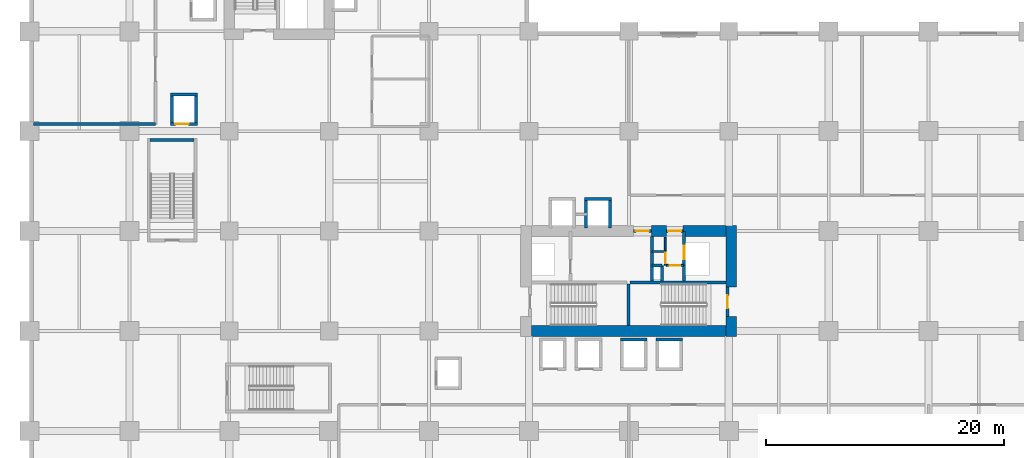
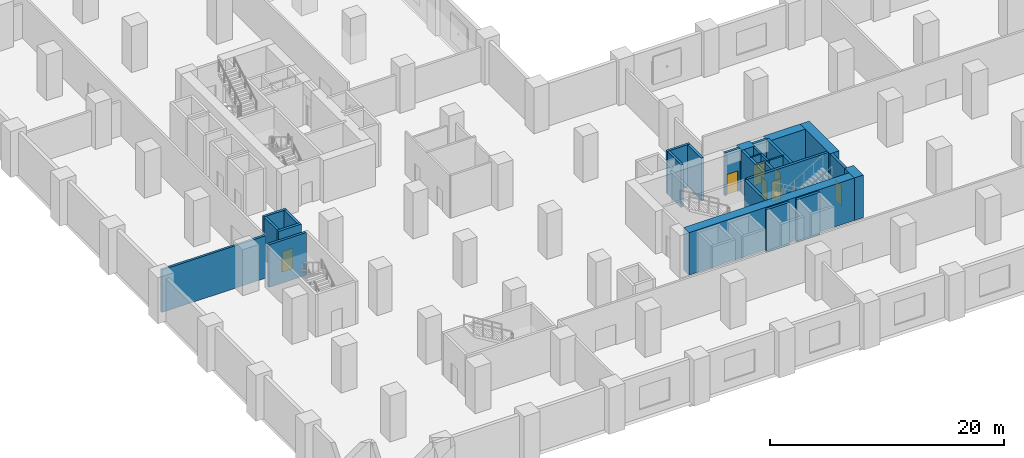
# One storey, part 10 of 22: 28 walls, 7 doors, 7 openings.
"""IFC4 building model written with IfcOpenShell, lengths in metres."""

from ifc_helpers import new_model, si_unit, direction, frame, frame_2d, origin, place, context, subcontext, project, spatial, rectangle, extrude, material, layer, layer_set, type_object, element, fill, save


model = new_model("IFC4")

# Units and contexts
model_context = context("Model", 3, precision=1e-05, world=origin(), true_north=direction((0.0, 1.0)))
body_context = subcontext(model_context, "Body", "Model", "MODEL_VIEW")
ifc_project = project(units=[si_unit("LENGTHUNIT", "METRE"), si_unit("AREAUNIT", "SQUARE_METRE"), si_unit("VOLUMEUNIT", "CUBIC_METRE"), si_unit("PLANEANGLEUNIT", "RADIAN"), si_unit("MASSUNIT", "GRAM", prefix="KILO")], contexts=[model_context])

# Site, building, storey
site_placement = place(None, origin())
site = spatial("IfcSite", under=ifc_project, at=site_placement, CompositionType="ELEMENT")
building_placement = place(site_placement, origin())
building = spatial("IfcBuilding", under=site, at=building_placement, Name="Koriwani Terraces Tower", CompositionType="ELEMENT")
storey_placement = place(building_placement, frame((0.0, 0.0, 10.800048828125)))
storey = spatial("IfcBuildingStorey", under=building, at=storey_placement, Name="L02", CompositionType="ELEMENT", Elevation=10.800048828125)

# Walls
ifc_material_1 = material(Name="Concrete C60/75", Category="concrete")
ifc_layer_1 = layer(ifc_material_1, 0.89990234375, Name="Concrete C60/75")
ifc_layer_set_1 = layer_set([ifc_layer_1], Name="Concrete C60/75")
wall_type_1 = type_object("IfcWallType", Name="WALL_CORE_RC_900", PredefinedType="SHEAR", material=ifc_layer_set_1)
wall_1_placement = place(storey_placement, frame((59.0, 16.35009765625, 0.0), z_axis=(0.0, 0.0, 1.0), x_axis=(0.0, 1.0, 0.0)))
element("IfcWall", 1, at=wall_1_placement, inside=storey, type_object=wall_type_1, Name="L02 East Split Core Shear Wall E1", PredefinedType="SHEAR", context=body_context, shape_type="SweptSolid", body=[
    extrude(rectangle(XDim=1.64990234375, YDim=0.89990234375, at=frame_2d((0.824951171875, 0.0))), origin(), (0.0, 0.0, 1.0), 4.449951171875),
])
wall_2_placement = place(storey_placement, frame((59.0, 20.5, 0.0), z_axis=(0.0, 0.0, 1.0), x_axis=(0.0, 1.0, 0.0)))
element("IfcWall", 2, at=wall_2_placement, inside=storey, type_object=wall_type_1, Name="L02 East Split Core Shear Wall E2", PredefinedType="SHEAR", context=body_context, shape_type="SweptSolid", body=[
    extrude(rectangle(XDim=5.14990234375, YDim=0.89990234375, at=frame_2d((2.574951171875, 0.0))), origin(), (0.0, 0.0, 1.0), 4.449951171875),
])
wall_3_placement = place(storey_placement, frame((42.199951171875, 16.800048828125, 0.0), z_axis=(0.0, 0.0, 1.0), x_axis=(1.0, 0.0, 0.0)))
element("IfcWall", 3, at=wall_3_placement, inside=storey, type_object=wall_type_1, Name="L02 East Split Core Shear Wall S1", PredefinedType="SHEAR", context=body_context, shape_type="SweptSolid", body=[
    extrude(rectangle(XDim=16.35009765625, YDim=0.89990234375, at=frame_2d((8.175048828125, 0.0))), origin(), (0.0, 0.0, 1.0), 4.449951171875),
])
wall_4_placement = place(storey_placement, frame((52.280029296875, 25.199951171875, 0.0), z_axis=(0.0, 0.0, 1.0), x_axis=(1.0, 0.0, 0.0)))
element("IfcWall", 4, at=wall_4_placement, inside=storey, type_object=wall_type_1, Name="L02 East Split Core Shear Wall N2", PredefinedType="SHEAR", context=body_context, shape_type="SweptSolid", body=[
    extrude(rectangle(XDim=1.27001953125, YDim=0.89990234375, at=frame_2d((0.635009765625, 0.0))), origin(), (0.0, 0.0, 1.0), 4.449951171875),
])
wall_5_placement = place(storey_placement, frame((54.949951171875, 25.199951171875, 0.0), z_axis=(0.0, 0.0, 1.0), x_axis=(1.0, 0.0, 0.0)))
element("IfcWall", 5, at=wall_5_placement, inside=storey, type_object=wall_type_1, Name="L02 East Split Core Shear Wall N3", PredefinedType="SHEAR", context=body_context, shape_type="SweptSolid", body=[
    extrude(rectangle(XDim=3.60009765625, YDim=0.89990234375, at=frame_2d((1.800048828125, 0.0))), origin(), (0.0, 0.0, 1.0), 4.449951171875),
])
ifc_material_2 = material(Name="Autoclaved Cellular Concrete Blockwork", Category="masonry")
ifc_layer_2 = layer(ifc_material_2, 0.219970703125, Name="Autoclaved Cellular Concrete Blockwork")
ifc_layer_set_2 = layer_set([ifc_layer_2], Name="Autoclaved Cellular Concrete Blockwork")
wall_type_2 = type_object("IfcWallType", Name="WALL_DEMISING_220", PredefinedType="PARTITIONING", material=ifc_layer_set_2)
wall_6_placement = place(storey_placement, frame((0.35009765625, 34.199951171875, 0.0), z_axis=(0.0, 0.0, 1.0), x_axis=(1.0, 0.0, 0.0)))
element("IfcWall", 6, at=wall_6_placement, inside=storey, type_object=wall_type_2, Name="L02 Interior Wall WPOD-WD-L02-0", PredefinedType="PARTITIONING", context=body_context, shape_type="SweptSolid", body=[
    extrude(rectangle(XDim=10.25, YDim=0.219970703125, at=frame_2d((5.125, 0.0))), origin(), (0.0, 0.0, 1.0), 4.449951171875),
])
ifc_material_3 = material(Name="Concrete C40/50", Category="concrete")
ifc_layer_3 = layer(ifc_material_3, 0.25, Name="Concrete C40/50")
ifc_layer_set_3 = layer_set([ifc_layer_3], Name="Concrete C40/50")
wall_type_3 = type_object("IfcWallType", Name="WALL_SHAFT_RATED_250", PredefinedType="SOLIDWALL", material=ifc_layer_set_3)
wall_7_placement = place(storey_placement, frame((50.5, 20.875, 0.0), z_axis=(0.0, 0.0, 1.0), x_axis=(1.0, 0.0, 0.0)))
element("IfcWall", 7, at=wall_7_placement, inside=storey, type_object=wall_type_3, Name="L02 East Split Core Web Wall MID2", PredefinedType="SOLIDWALL", context=body_context, shape_type="SweptSolid", body=[
    extrude(rectangle(XDim=8.050048828125, YDim=0.25, at=frame_2d((4.02490234375, 0.0))), origin(), (0.0, 0.0, 1.0), 4.449951171875),
])
wall_8_placement = place(storey_placement, frame((50.375, 17.25, 0.0), z_axis=(0.0, 0.0, 1.0), x_axis=(0.0, 1.0, 0.0)))
element("IfcWall", 8, at=wall_8_placement, inside=storey, type_object=wall_type_3, Name="L02 East Split Core Stair Dividing Wall", PredefinedType="SOLIDWALL", context=body_context, shape_type="SweptSolid", body=[
    extrude(rectangle(XDim=3.5, YDim=0.25, at=frame_2d((1.75, 0.0))), origin(), (0.0, 0.0, 1.0), 4.449951171875),
])
wall_9_placement = place(storey_placement, frame((10.14990234375, 32.875, 0.0), z_axis=(0.0, 0.0, 1.0), x_axis=(1.0, 0.0, 0.0)))
element("IfcWall", 9, at=wall_9_placement, inside=storey, type_object=wall_type_3, Name="L02 Podium Stair ST-P1 North Bearing Wall", PredefinedType="SOLIDWALL", context=body_context, shape_type="SweptSolid", body=[
    extrude(rectangle(XDim=3.7001953125, YDim=0.25, at=frame_2d((1.85009765625, 0.0))), origin(), (0.0, 0.0, 1.0), 4.449951171875),
])

# Wall, opening, door
wall_10_placement = place(storey_placement, frame((58.675048828125, 18.0, 0.0), z_axis=(0.0, 0.0, 1.0), x_axis=(0.0, 1.0, 0.0)))
wall_10 = element("IfcWall", 10, at=wall_10_placement, inside=storey, type_object=wall_type_3, Name="L02 Interior Wall WIN-CE-L02-STE", PredefinedType="SOLIDWALL", context=body_context, shape_type="SweptSolid", body=[
    extrude(rectangle(XDim=2.5, YDim=0.25, at=frame_2d((1.25, 0.0))), origin(), (0.0, 0.0, 1.0), 4.449951171875),
])
opening_1_placement = place(wall_10_placement, frame((0.699951171875, 0.0, 0.0)))
opening_1 = element("IfcOpeningElement", 11, at=opening_1_placement, cuts=wall_10, Name="Opening D-03", PredefinedType="OPENING", context=body_context, shape_type="SweptSolid", body=[
    extrude(rectangle(XDim=1.10009765625, YDim=2.14990234375, at=frame_2d((0.550048828125, 1.074951171875))), frame((0.0, 0.135009765625, 0.0), z_axis=(0.0, -1.0, 0.0), x_axis=(1.0, 0.0, 0.0)), (0.0, 0.0, 1.0), 0.27001953125),
])
ifc_material_4 = material(Name="Steel ASTM A572 Grade 50", Category="steel")
door_type_1 = type_object("IfcDoorType", Name="DOOR_STAIR_FIRE_1100X2150", OperationType="NOTDEFINED", PredefinedType="DOOR", material=ifc_material_4)
door_1_placement = place(opening_1_placement, origin())
door_1 = element("IfcDoor", 12, at=door_1_placement, inside=storey, type_object=door_type_1, Name="L02 Exit Stair ST-E2 Door", OperationType="SINGLE_SWING_RIGHT", OverallHeight=2.14990234375, OverallWidth=1.10009765625, PredefinedType="DOOR", context=body_context, shape_type="SweptSolid", body=[
    extrude(rectangle(XDim=1.10009765625, YDim=2.14990234375, at=frame_2d((0.550048828125, 1.074951171875))), frame((0.0, 0.02490234375, 0.0), z_axis=(0.0, -1.0, 0.0), x_axis=(1.0, 0.0, 0.0)), (0.0, 0.0, 1.0), 0.050048828125),
])
fill(opening_1, door_1)

wall_11_placement = place(storey_placement, frame((50.800048828125, 25.199951171875, 0.0), z_axis=(0.0, 0.0, 1.0), x_axis=(1.0, 0.0, 0.0)))
wall_11 = element("IfcWall", 13, at=wall_11_placement, inside=storey, type_object=wall_type_3, Name="L02 Interior Wall WIN-CE-L02-NP", PredefinedType="SOLIDWALL", context=body_context, shape_type="SweptSolid", body=[
    extrude(rectangle(XDim=1.47998046875, YDim=0.25, at=frame_2d((0.739990234375, 0.0))), origin(), (0.0, 0.0, 1.0), 4.449951171875),
])
opening_2_placement = place(wall_11_placement, frame((0.179931640625, 0.0, 0.0)))
opening_2 = element("IfcOpeningElement", 14, at=opening_2_placement, cuts=wall_11, Name="Opening D-03", PredefinedType="OPENING", context=body_context, shape_type="SweptSolid", body=[
    extrude(rectangle(XDim=1.10009765625, YDim=2.14990234375, at=frame_2d((0.550048828125, 1.074951171875))), frame((0.0, 0.135009765625, 0.0), z_axis=(0.0, -1.0, 0.0), x_axis=(1.0, 0.0, 0.0)), (0.0, 0.0, 1.0), 0.27001953125),
])
door_2_placement = place(opening_2_placement, origin())
door_2 = element("IfcDoor", 15, at=door_2_placement, inside=storey, type_object=door_type_1, Name="L02 East Firefighting Lobby Door", OperationType="SINGLE_SWING_LEFT", OverallHeight=2.14990234375, OverallWidth=1.10009765625, PredefinedType="DOOR", context=body_context, shape_type="SweptSolid", body=[
    extrude(rectangle(XDim=1.10009765625, YDim=2.14990234375, at=frame_2d((0.550048828125, 1.074951171875))), frame((0.0, 0.02490234375, 0.0), z_axis=(0.0, -1.0, 0.0), x_axis=(1.0, 0.0, 0.0)), (0.0, 0.0, 1.0), 0.050048828125),
])
fill(opening_2, door_2)

# Wall
wall_12_placement = place(storey_placement, frame((52.340087890625, 21.0, 0.0), z_axis=(0.0, 0.0, 1.0), x_axis=(0.0, 1.0, 0.0)))
element("IfcWall", 16, at=wall_12_placement, inside=storey, type_object=wall_type_3, Name="L02 Interior Wall WIN-CE-L02-FFE", PredefinedType="SOLIDWALL", context=body_context, shape_type="SweptSolid", body=[
    extrude(rectangle(XDim=3.75, YDim=0.25, at=frame_2d((1.875, 0.0))), origin(), (0.0, 0.0, 1.0), 4.449951171875),
])

# Wall, opening, door
wall_13_placement = place(storey_placement, frame((55.050048828125, 21.0, 0.0), z_axis=(0.0, 0.0, 1.0), x_axis=(0.0, 1.0, 0.0)))
wall_13 = element("IfcWall", 17, at=wall_13_placement, inside=storey, type_object=wall_type_3, Name="L02 Interior Wall WIN-CE-L02-SE", PredefinedType="SOLIDWALL", context=body_context, shape_type="SweptSolid", body=[
    extrude(rectangle(XDim=4.14990234375, YDim=0.25, at=frame_2d((2.074951171875, 0.0))), origin(), (0.0, 0.0, 1.0), 4.449951171875),
])
opening_3_placement = place(wall_13_placement, frame((1.85009765625, 0.0, 0.0)))
opening_3 = element("IfcOpeningElement", 18, at=opening_3_placement, cuts=wall_13, Name="Opening LD-01", PredefinedType="OPENING", context=body_context, shape_type="SweptSolid", body=[
    extrude(rectangle(XDim=1.10009765625, YDim=2.14990234375, at=frame_2d((0.550048828125, 1.074951171875))), frame((0.0, 0.135009765625, 0.0), z_axis=(0.0, -1.0, 0.0), x_axis=(1.0, 0.0, 0.0)), (0.0, 0.0, 1.0), 0.27001953125),
])
door_type_2 = type_object("IfcDoorType", Name="DOOR_LIFT_LANDING_1100X2200", OperationType="NOTDEFINED", PredefinedType="DOOR", material=ifc_material_4)
door_3_placement = place(opening_3_placement, origin())
door_3 = element("IfcDoor", 19, at=door_3_placement, inside=storey, type_object=door_type_2, Name="L02 Goods Lift SE-02 Landing Door", OperationType="SLIDING_TO_LEFT", OverallHeight=2.14990234375, OverallWidth=1.10009765625, PredefinedType="DOOR", context=body_context, shape_type="SweptSolid", body=[
    extrude(rectangle(XDim=1.10009765625, YDim=2.14990234375, at=frame_2d((0.550048828125, 1.074951171875))), frame((0.0, 0.02490234375, 0.0), z_axis=(0.0, -1.0, 0.0), x_axis=(1.0, 0.0, 0.0)), (0.0, 0.0, 1.0), 0.050048828125),
])
fill(opening_3, door_3)

wall_14_placement = place(storey_placement, frame((53.550048828125, 25.199951171875, 0.0), z_axis=(0.0, 0.0, 1.0), x_axis=(1.0, 0.0, 0.0)))
wall_14 = element("IfcWall", 20, at=wall_14_placement, inside=storey, type_object=wall_type_3, Name="L02 Interior Wall WIN-CE-L02-NP2", PredefinedType="SOLIDWALL", context=body_context, shape_type="SweptSolid", body=[
    extrude(rectangle(XDim=1.39990234375, YDim=0.25, at=frame_2d((0.699951171875, 0.0))), origin(), (0.0, 0.0, 1.0), 4.449951171875),
])
opening_4_placement = place(wall_14_placement, frame((0.14990234375, 0.0, 0.0)))
opening_4 = element("IfcOpeningElement", 21, at=opening_4_placement, cuts=wall_14, Name="Opening D-03", PredefinedType="OPENING", context=body_context, shape_type="SweptSolid", body=[
    extrude(rectangle(XDim=1.10009765625, YDim=2.14990234375, at=frame_2d((0.550048828125, 1.074951171875))), frame((0.0, 0.135009765625, 0.0), z_axis=(0.0, -1.0, 0.0), x_axis=(1.0, 0.0, 0.0)), (0.0, 0.0, 1.0), 0.27001953125),
])
door_4_placement = place(opening_4_placement, origin())
door_4 = element("IfcDoor", 22, at=door_4_placement, inside=storey, type_object=door_type_1, Name="L02 East Goods Lift Lobby Door", OperationType="SINGLE_SWING_RIGHT", OverallHeight=2.14990234375, OverallWidth=1.10009765625, PredefinedType="DOOR", context=body_context, shape_type="SweptSolid", body=[
    extrude(rectangle(XDim=1.10009765625, YDim=2.14990234375, at=frame_2d((0.550048828125, 1.074951171875))), frame((0.0, 0.02490234375, 0.0), z_axis=(0.0, -1.0, 0.0), x_axis=(1.0, 0.0, 0.0)), (0.0, 0.0, 1.0), 0.050048828125),
])
fill(opening_4, door_4)

# Walls
wall_15_placement = place(storey_placement, frame((53.199951171875, 21.0, 0.0), z_axis=(0.0, 0.0, 1.0), x_axis=(0.0, 1.0, 0.0)))
element("IfcWall", 23, at=wall_15_placement, inside=storey, type_object=wall_type_3, Name="L02 Interior Wall WIN-CE-L02-RS1", PredefinedType="SOLIDWALL", context=body_context, shape_type="SweptSolid", body=[
    extrude(rectangle(XDim=1.300048828125, YDim=0.25, at=frame_2d((0.64990234375, 0.0))), origin(), (0.0, 0.0, 1.0), 4.449951171875),
])
wall_16_placement = place(storey_placement, frame((52.360107421875, 22.300048828125, 0.0), z_axis=(0.0, 0.0, 1.0), x_axis=(1.0, 0.0, 0.0)))
element("IfcWall", 24, at=wall_16_placement, inside=storey, type_object=wall_type_3, Name="L02 Interior Wall WIN-CE-L02-RS2", PredefinedType="SOLIDWALL", context=body_context, shape_type="SweptSolid", body=[
    extrude(rectangle(XDim=0.83984375, YDim=0.25, at=frame_2d((0.419921875, 0.0))), origin(), (0.0, 0.0, 1.0), 4.449951171875),
])

# Wall, opening, door
wall_17_placement = place(storey_placement, frame((11.875, 34.199951171875, 0.0), z_axis=(0.0, 0.0, 1.0), x_axis=(1.0, 0.0, 0.0)))
wall_17 = element("IfcWall", 25, at=wall_17_placement, inside=storey, type_object=wall_type_3, Name="L02 Interior Wall WIN-LF-PE-P1-L02-F", PredefinedType="SOLIDWALL", context=body_context, shape_type="SweptSolid", body=[
    extrude(rectangle(XDim=2.25, YDim=0.25, at=frame_2d((1.125, 0.0))), origin(), (0.0, 0.0, 1.0), 4.449951171875),
])
opening_5_placement = place(wall_17_placement, frame((0.39990234375, 0.0, 0.0)))
opening_5 = element("IfcOpeningElement", 26, at=opening_5_placement, cuts=wall_17, Name="Opening LD-01", PredefinedType="OPENING", context=body_context, shape_type="SweptSolid", body=[
    extrude(rectangle(XDim=1.10009765625, YDim=2.14990234375, at=frame_2d((0.550048828125, 1.074951171875))), frame((0.0, 0.135009765625, 0.0), z_axis=(0.0, -1.0, 0.0), x_axis=(1.0, 0.0, 0.0)), (0.0, 0.0, 1.0), 0.27001953125),
])
door_5_placement = place(opening_5_placement, origin())
door_5 = element("IfcDoor", 27, at=door_5_placement, inside=storey, type_object=door_type_2, Name="L02 Passenger Lift PE-P1 Landing Door", OperationType="SLIDING_TO_LEFT", OverallHeight=2.14990234375, OverallWidth=1.10009765625, PredefinedType="DOOR", context=body_context, shape_type="SweptSolid", body=[
    extrude(rectangle(XDim=1.10009765625, YDim=2.14990234375, at=frame_2d((0.550048828125, 1.074951171875))), frame((0.0, 0.02490234375, 0.0), z_axis=(0.0, -1.0, 0.0), x_axis=(1.0, 0.0, 0.0)), (0.0, 0.0, 1.0), 0.050048828125),
])
fill(opening_5, door_5)

# Walls
for number, where, z_axis, x_axis, name in (
    (28, (11.875, 36.699951171875, 0.0), (0.0, 0.0, 1.0), (1.0, 0.0, 0.0), "L02 Interior Wall WIN-LF-PE-P1-L02-B"),
    (29, (12.0, 34.324951171875, 0.0), (0.0, 0.0, 1.0), (0.0, 1.0, 0.0), "L02 Interior Wall WIN-LF-PE-P1-L02-W"),
    (30, (14.0, 34.324951171875, 0.0), (0.0, 0.0, 1.0), (0.0, 1.0, 0.0), "L02 Interior Wall WIN-LF-PE-P1-L02-E"),
    (31, (49.675048828125, 16.10009765625, 0.0), (0.0, 0.0, 1.0), (1.0, 0.0, 0.0), "L02 Interior Wall WIN-LF-PE-M3-L02-B"),
    (32, (52.675048828125, 16.10009765625, 0.0), (0.0, 0.0, 1.0), (1.0, 0.0, 0.0), "L02 Interior Wall WIN-LF-PE-M4-L02-B"),
    (33, (46.675048828125, 27.89990234375, 0.0), (0.0, 0.0, 1.0), (1.0, 0.0, 0.0), "L02 Interior Wall WIN-LF-PE-H4-L02-F"),
):
    element("IfcWall", number, at=place(storey_placement, frame(where, z_axis=z_axis, x_axis=x_axis)), inside=storey, type_object=wall_type_3, Name=name, PredefinedType="SOLIDWALL", context=body_context, shape_type="SweptSolid", body=[
        extrude(rectangle(XDim=2.25, YDim=0.25, at=frame_2d((1.125, 0.0))), origin(), (0.0, 0.0, 1.0), 4.449951171875),
    ])
for number, where, z_axis, x_axis, name in (
    (34, (46.800048828125, 25.449951171875, 0.0), (0.0, 0.0, 1.0), (0.0, 1.0, 0.0), "L02 Interior Wall WIN-LF-PE-H4-L02-W"),
    (35, (48.800048828125, 25.449951171875, 0.0), (0.0, 0.0, 1.0), (0.0, 1.0, 0.0), "L02 Interior Wall WIN-LF-PE-H4-L02-E"),
):
    element("IfcWall", number, at=place(storey_placement, frame(where, z_axis=z_axis, x_axis=x_axis)), inside=storey, type_object=wall_type_3, Name=name, PredefinedType="SOLIDWALL", context=body_context, shape_type="SweptSolid", body=[
        extrude(rectangle(XDim=2.324951171875, YDim=0.25, at=frame_2d((1.16259765625, 0.0))), origin(), (0.0, 0.0, 1.0), 4.449951171875),
    ])

# Wall, opening, door
ifc_material_5 = material(Name="Fire-Rated Acoustic Gypsum Partition", Category="masonry")
ifc_layer_4 = layer(ifc_material_5, 0.159912109375, Name="Fire-Rated Acoustic Gypsum Partition")
ifc_layer_set_4 = layer_set([ifc_layer_4], Name="Fire-Rated Acoustic Gypsum Partition")
wall_type_4 = type_object("IfcWallType", Name="WALL_SUITE_160", PredefinedType="PARTITIONING", material=ifc_layer_set_4)
wall_18_placement = place(storey_placement, frame((53.56005859375, 22.320068359375, 0.0), z_axis=(0.0, 0.0, 1.0), x_axis=(1.0, 0.0, 0.0)))
wall_18 = element("IfcWall", 36, at=wall_18_placement, inside=storey, type_object=wall_type_4, Name="L02 Interior Wall WIN-CE-L02-SV2A", PredefinedType="PARTITIONING", context=body_context, shape_type="SweptSolid", body=[
    extrude(rectangle(XDim=1.43994140625, YDim=0.159912109375, at=frame_2d((0.719970703125, 0.0))), origin(), (0.0, 0.0, 1.0), 4.449951171875),
])
opening_6_placement = place(wall_18_placement, frame((0.260009765625, 0.0, 0.0)))
opening_6 = element("IfcOpeningElement", 37, at=opening_6_placement, cuts=wall_18, Name="Opening D-07", PredefinedType="OPENING", context=body_context, shape_type="SweptSolid", body=[
    extrude(rectangle(XDim=0.89990234375, YDim=2.10009765625, at=frame_2d((0.449951171875, 1.050048828125))), frame((0.0, 0.08984375, 0.0), z_axis=(0.0, -1.0, 0.0), x_axis=(1.0, 0.0, 0.0)), (0.0, 0.0, 1.0), 0.179931640625),
])
ifc_material_6 = material(Name="Architectural Oak Fire Door", Category="wood")
door_type_3 = type_object("IfcDoorType", Name="DOOR_BATH_INT_900X2100", OperationType="NOTDEFINED", PredefinedType="DOOR", material=ifc_material_6)
door_6_placement = place(opening_6_placement, origin())
door_6 = element("IfcDoor", 38, at=door_6_placement, inside=storey, type_object=door_type_3, Name="L02 East Meter Room Door", OperationType="SINGLE_SWING_LEFT", OverallHeight=2.10009765625, OverallWidth=0.89990234375, PredefinedType="DOOR", context=body_context, shape_type="SweptSolid", body=[
    extrude(rectangle(XDim=0.89990234375, YDim=2.10009765625, at=frame_2d((0.449951171875, 1.050048828125))), frame((0.0, 0.02490234375, 0.0), z_axis=(0.0, -1.0, 0.0), x_axis=(1.0, 0.0, 0.0)), (0.0, 0.0, 1.0), 0.050048828125),
])
fill(opening_6, door_6)

wall_19_placement = place(storey_placement, frame((53.4599609375, 22.320068359375, 0.0), z_axis=(0.0, 0.0, 1.0), x_axis=(0.0, 1.0, 0.0)))
wall_19 = element("IfcWall", 39, at=wall_19_placement, inside=storey, type_object=wall_type_4, Name="L02 Interior Wall WIN-CE-L02-SV2H", PredefinedType="PARTITIONING", context=body_context, shape_type="SweptSolid", body=[
    extrude(rectangle(XDim=2.35986328125, YDim=0.159912109375, at=frame_2d((1.179931640625, 0.0))), origin(), (0.0, 0.0, 1.0), 4.449951171875),
])
opening_7_placement = place(wall_19_placement, frame((0.159912109375, 0.0, 0.0)))
opening_7 = element("IfcOpeningElement", 40, at=opening_7_placement, cuts=wall_19, Name="Opening D-07", PredefinedType="OPENING", context=body_context, shape_type="SweptSolid", body=[
    extrude(rectangle(XDim=0.89990234375, YDim=2.10009765625, at=frame_2d((0.449951171875, 1.050048828125))), frame((0.0, 0.08984375, 0.0), z_axis=(0.0, -1.0, 0.0), x_axis=(1.0, 0.0, 0.0)), (0.0, 0.0, 1.0), 0.179931640625),
])
door_7_placement = place(opening_7_placement, origin())
door_7 = element("IfcDoor", 41, at=door_7_placement, inside=storey, type_object=door_type_3, Name="L02 East Valve Room Door", OperationType="SINGLE_SWING_RIGHT", OverallHeight=2.10009765625, OverallWidth=0.89990234375, PredefinedType="DOOR", context=body_context, shape_type="SweptSolid", body=[
    extrude(rectangle(XDim=0.89990234375, YDim=2.10009765625, at=frame_2d((0.449951171875, 1.050048828125))), frame((0.0, 0.02490234375, 0.0), z_axis=(0.0, -1.0, 0.0), x_axis=(1.0, 0.0, 0.0)), (0.0, 0.0, 1.0), 0.050048828125),
])
fill(opening_7, door_7)

# Wall
wall_20_placement = place(storey_placement, frame((52.360107421875, 23.47998046875, 0.0), z_axis=(0.0, 0.0, 1.0), x_axis=(1.0, 0.0, 0.0)))
element("IfcWall", 42, at=wall_20_placement, inside=storey, type_object=wall_type_4, Name="L02 Interior Wall WIN-CE-L02-SV2V", PredefinedType="PARTITIONING", context=body_context, shape_type="SweptSolid", body=[
    extrude(rectangle(XDim=1.099853515625, YDim=0.159912109375, at=frame_2d((0.5498046875, 0.0))), origin(), (0.0, 0.0, 1.0), 4.449951171875),
])

save(model, "model.ifc")
